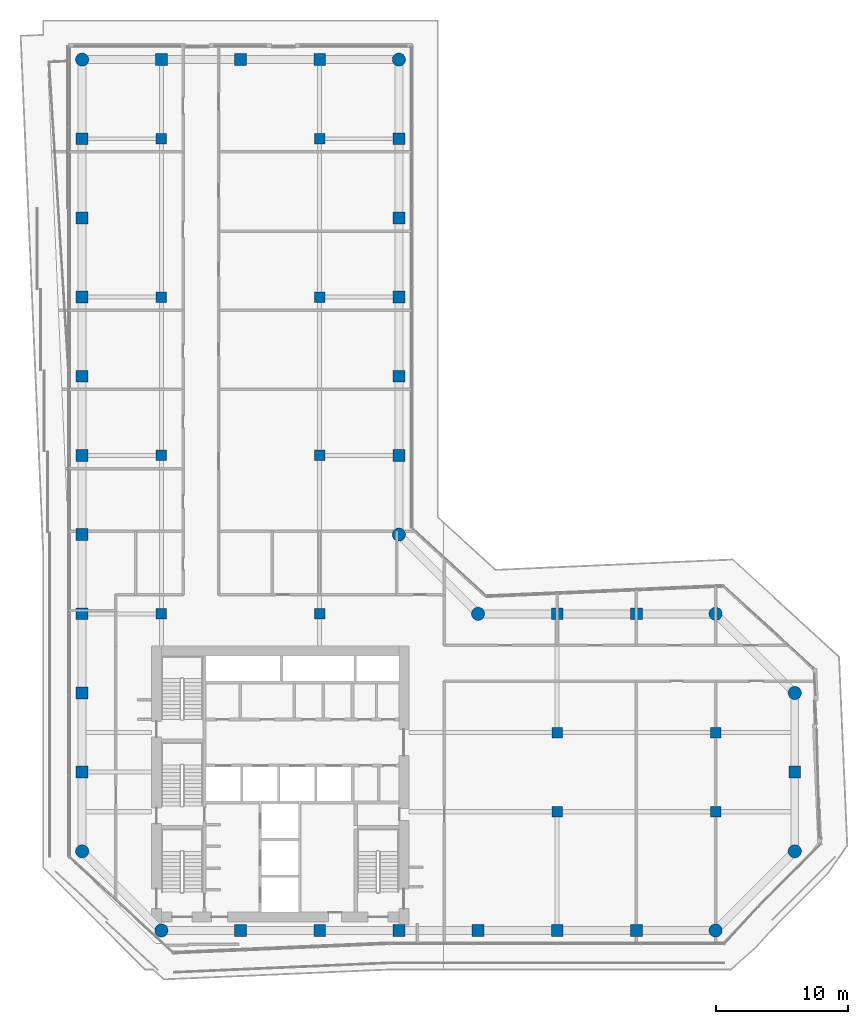
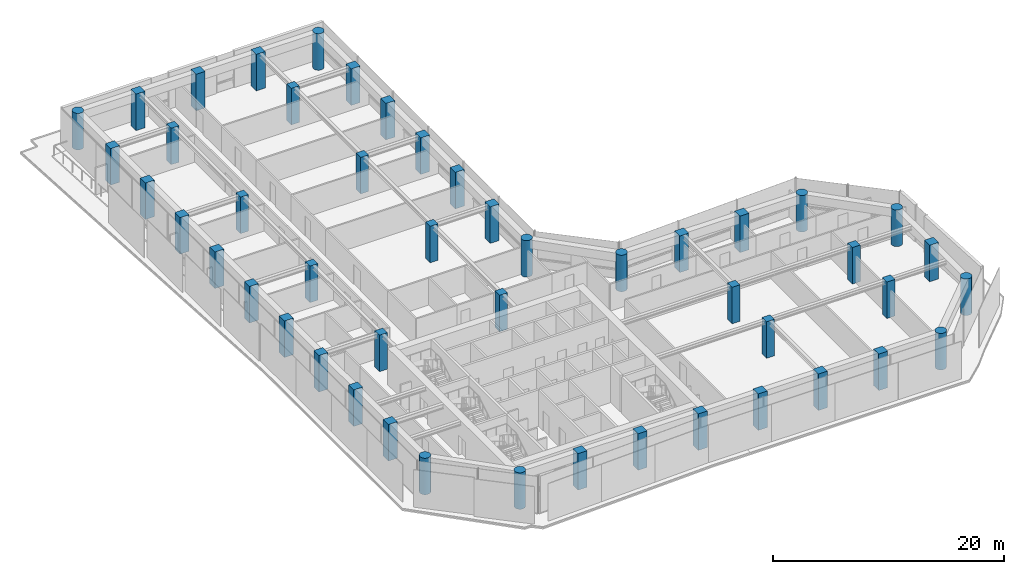
# One storey, part 1 of 24: 48 columns.
"""IFC4 building model written with IfcOpenShell, lengths in metres."""

from ifc_helpers import new_model, si_unit, direction, frame, origin, origin_2d, place, context, subcontext, project, spatial, rectangle, circle, extrude, material, material_profile, profile_set, type_object, element, save


model = new_model("IFC4")

# Units and contexts
model_context = context("Model", 3, precision=1e-05, world=origin(), true_north=direction((0.0, 1.0)))
body_context = subcontext(model_context, "Body", "Model", "MODEL_VIEW")
ifc_project = project(units=[si_unit("LENGTHUNIT", "METRE"), si_unit("AREAUNIT", "SQUARE_METRE"), si_unit("VOLUMEUNIT", "CUBIC_METRE"), si_unit("PLANEANGLEUNIT", "RADIAN"), si_unit("MASSUNIT", "GRAM", prefix="KILO")], contexts=[model_context])

# Site, building, storey
site_placement = place(None, origin())
site = spatial("IfcSite", under=ifc_project, at=site_placement, CompositionType="ELEMENT")
building_placement = place(site_placement, origin())
building = spatial("IfcBuilding", under=site, at=building_placement, Name="Welwitschia Terrace Campus", CompositionType="ELEMENT")
storey_placement = place(building_placement, frame((0.0, 0.0, 100.39990234375)))
storey = spatial("IfcBuildingStorey", under=building, at=storey_placement, Name="L22", CompositionType="ELEMENT", Elevation=100.39990234375)

# Columns
ifc_material_1 = material(Name="Concrete C60/75", Category="concrete")
ifc_material_profile_1 = material_profile(ifc_material_1, circle(Radius=0.5, at=origin_2d()))
ifc_profile_set_1 = profile_set([ifc_material_profile_1], Name="Concrete C60/75")
column_type_1 = type_object("IfcColumnType", Name="Corner column 1000 dia", PredefinedType="COLUMN", material=ifc_profile_set_1)
for number, where, z_axis, x_axis, name in (
    (1, (0.0, 10.0, 0.0), (0.0, 0.0, 1.0), (1.0, 0.0, 0.0), "Column C15"),
    (2, (0.0, 70.0, 0.0), (0.0, 0.0, 1.0), (1.0, 0.0, 0.0), "Column C15"),
    (3, (6.0, 4.0, 0.0), (0.0, 0.0, 1.0), (1.0, 0.0, 0.0), "Column C15"),
    (4, (24.0, 34.0, 0.0), (0.0, 0.0, 1.0), (1.0, 0.0, 0.0), "Column C15"),
    (5, (24.0, 70.0, 0.0), (0.0, 0.0, 1.0), (1.0, 0.0, 0.0), "Column C15"),
    (6, (30.0, 28.0, 0.0), (0.0, 0.0, 1.0), (1.0, 0.0, 0.0), "Column C15"),
    (7, (48.0, 4.0, 0.0), (0.0, 0.0, 1.0), (1.0, 0.0, 0.0), "Column C15"),
    (8, (48.0, 28.0, 0.0), (0.0, 0.0, 1.0), (1.0, 0.0, 0.0), "Column C15"),
    (9, (54.0, 10.0, 0.0), (0.0, 0.0, 1.0), (1.0, 0.0, 0.0), "Column C15"),
    (10, (54.0, 22.0, 0.0), (0.0, 0.0, 1.0), (1.0, 0.0, 0.0), "Column C15"),
):
    element("IfcColumn", number, at=place(storey_placement, frame(where, z_axis=z_axis, x_axis=x_axis)), inside=storey, type_object=column_type_1, Name=name, PredefinedType="COLUMN", context=body_context, shape_type="SweptSolid", body=[
        extrude(circle(Radius=0.5, at=origin_2d()), origin(), (0.0, 0.0, 1.0), 3.85009765625),
    ])
ifc_material_2 = material(Name="Concrete C60/75", Category="concrete")
ifc_material_profile_2 = material_profile(ifc_material_2, rectangle(XDim=0.800048828125, YDim=0.800048828125, at=origin_2d()))
ifc_profile_set_2 = profile_set([ifc_material_profile_2], Name="Concrete C60/75")
column_type_2 = type_object("IfcColumnType", Name="Interior column 800x800", PredefinedType="COLUMN", material=ifc_profile_set_2)
for number, where, z_axis, x_axis, name in (
    (11, (6.0, 28.0, 0.0), (0.0, 0.0, 1.0), (1.0, 0.0, 0.0), "Column C16"),
    (12, (6.0, 40.0, 0.0), (0.0, 0.0, 1.0), (1.0, 0.0, 0.0), "Column C16"),
    (13, (6.0, 52.0, 0.0), (0.0, 0.0, 1.0), (1.0, 0.0, 0.0), "Column C16"),
    (14, (6.0, 64.0, 0.0), (0.0, 0.0, 1.0), (1.0, 0.0, 0.0), "Column C16"),
    (15, (18.0, 28.0, 0.0), (0.0, 0.0, 1.0), (1.0, 0.0, 0.0), "Column C16"),
    (16, (18.0, 40.0, 0.0), (0.0, 0.0, 1.0), (1.0, 0.0, 0.0), "Column C16"),
    (17, (18.0, 52.0, 0.0), (0.0, 0.0, 1.0), (1.0, 0.0, 0.0), "Column C16"),
    (18, (18.0, 64.0, 0.0), (0.0, 0.0, 1.0), (1.0, 0.0, 0.0), "Column C16"),
    (19, (36.0, 13.0, 0.0), (0.0, 0.0, 1.0), (1.0, 0.0, 0.0), "Column C16"),
    (20, (36.0, 19.0, 0.0), (0.0, 0.0, 1.0), (1.0, 0.0, 0.0), "Column C16"),
    (21, (48.0, 13.0, 0.0), (0.0, 0.0, 1.0), (1.0, 0.0, 0.0), "Column C16"),
    (22, (48.0, 19.0, 0.0), (0.0, 0.0, 1.0), (1.0, 0.0, 0.0), "Column C16"),
):
    element("IfcColumn", number, at=place(storey_placement, frame(where, z_axis=z_axis, x_axis=x_axis)), inside=storey, type_object=column_type_2, Name=name, PredefinedType="COLUMN", context=body_context, shape_type="SweptSolid", body=[
        extrude(rectangle(XDim=0.800048828125, YDim=0.800048828125, at=origin_2d()), origin(), (0.0, 0.0, 1.0), 3.85009765625),
    ])
ifc_material_3 = material(Name="Concrete C60/75", Category="concrete")
ifc_material_profile_3 = material_profile(ifc_material_3, rectangle(XDim=0.89990234375, YDim=0.89990234375, at=origin_2d()))
ifc_profile_set_3 = profile_set([ifc_material_profile_3], Name="Concrete C60/75")
column_type_3 = type_object("IfcColumnType", Name="Ring column 900x900", PredefinedType="COLUMN", material=ifc_profile_set_3)
for number, where, z_axis, x_axis, name in (
    (23, (0.0, 16.0, 0.0), (0.0, 0.0, 1.0), (1.0, 0.0, 0.0), "Column C14"),
    (24, (0.0, 22.0, 0.0), (0.0, 0.0, 1.0), (1.0, 0.0, 0.0), "Column C14"),
    (25, (0.0, 28.0, 0.0), (0.0, 0.0, 1.0), (1.0, 0.0, 0.0), "Column C14"),
    (26, (0.0, 34.0, 0.0), (0.0, 0.0, 1.0), (1.0, 0.0, 0.0), "Column C14"),
    (27, (0.0, 40.0, 0.0), (0.0, 0.0, 1.0), (1.0, 0.0, 0.0), "Column C14"),
    (28, (0.0, 46.0, 0.0), (0.0, 0.0, 1.0), (1.0, 0.0, 0.0), "Column C14"),
    (29, (0.0, 52.0, 0.0), (0.0, 0.0, 1.0), (1.0, 0.0, 0.0), "Column C14"),
    (30, (0.0, 58.0, 0.0), (0.0, 0.0, 1.0), (1.0, 0.0, 0.0), "Column C14"),
    (31, (0.0, 64.0, 0.0), (0.0, 0.0, 1.0), (1.0, 0.0, 0.0), "Column C14"),
    (32, (6.0, 70.0, 0.0), (0.0, 0.0, 1.0), (1.0, 0.0, 0.0), "Column C14"),
    (33, (12.0, 4.0, 0.0), (0.0, 0.0, 1.0), (1.0, 0.0, 0.0), "Column C14"),
    (34, (12.0, 70.0, 0.0), (0.0, 0.0, 1.0), (1.0, 0.0, 0.0), "Column C14"),
    (35, (18.0, 4.0, 0.0), (0.0, 0.0, 1.0), (1.0, 0.0, 0.0), "Column C14"),
    (36, (18.0, 70.0, 0.0), (0.0, 0.0, 1.0), (1.0, 0.0, 0.0), "Column C14"),
    (37, (24.0, 4.0, 0.0), (0.0, 0.0, 1.0), (1.0, 0.0, 0.0), "Column C14"),
    (38, (24.0, 40.0, 0.0), (0.0, 0.0, 1.0), (1.0, 0.0, 0.0), "Column C14"),
    (39, (24.0, 46.0, 0.0), (0.0, 0.0, 1.0), (1.0, 0.0, 0.0), "Column C14"),
    (40, (24.0, 52.0, 0.0), (0.0, 0.0, 1.0), (1.0, 0.0, 0.0), "Column C14"),
    (41, (24.0, 58.0, 0.0), (0.0, 0.0, 1.0), (1.0, 0.0, 0.0), "Column C14"),
    (42, (24.0, 64.0, 0.0), (0.0, 0.0, 1.0), (1.0, 0.0, 0.0), "Column C14"),
    (43, (30.0, 4.0, 0.0), (0.0, 0.0, 1.0), (1.0, 0.0, 0.0), "Column C14"),
    (44, (36.0, 4.0, 0.0), (0.0, 0.0, 1.0), (1.0, 0.0, 0.0), "Column C14"),
    (45, (36.0, 28.0, 0.0), (0.0, 0.0, 1.0), (1.0, 0.0, 0.0), "Column C14"),
    (46, (42.0, 4.0, 0.0), (0.0, 0.0, 1.0), (1.0, 0.0, 0.0), "Column C14"),
    (47, (42.0, 28.0, 0.0), (0.0, 0.0, 1.0), (1.0, 0.0, 0.0), "Column C14"),
    (48, (54.0, 16.0, 0.0), (0.0, 0.0, 1.0), (1.0, 0.0, 0.0), "Column C14"),
):
    element("IfcColumn", number, at=place(storey_placement, frame(where, z_axis=z_axis, x_axis=x_axis)), inside=storey, type_object=column_type_3, Name=name, PredefinedType="COLUMN", context=body_context, shape_type="SweptSolid", body=[
        extrude(rectangle(XDim=0.89990234375, YDim=0.89990234375, at=origin_2d()), origin(), (0.0, 0.0, 1.0), 3.85009765625),
    ])

save(model, "model.ifc")
